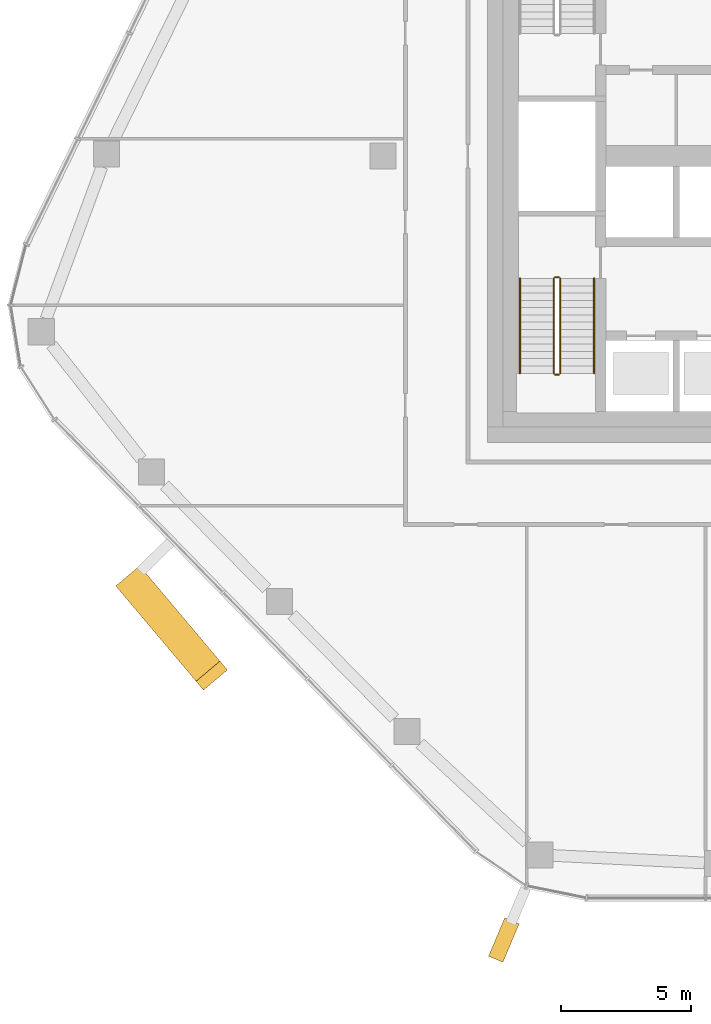
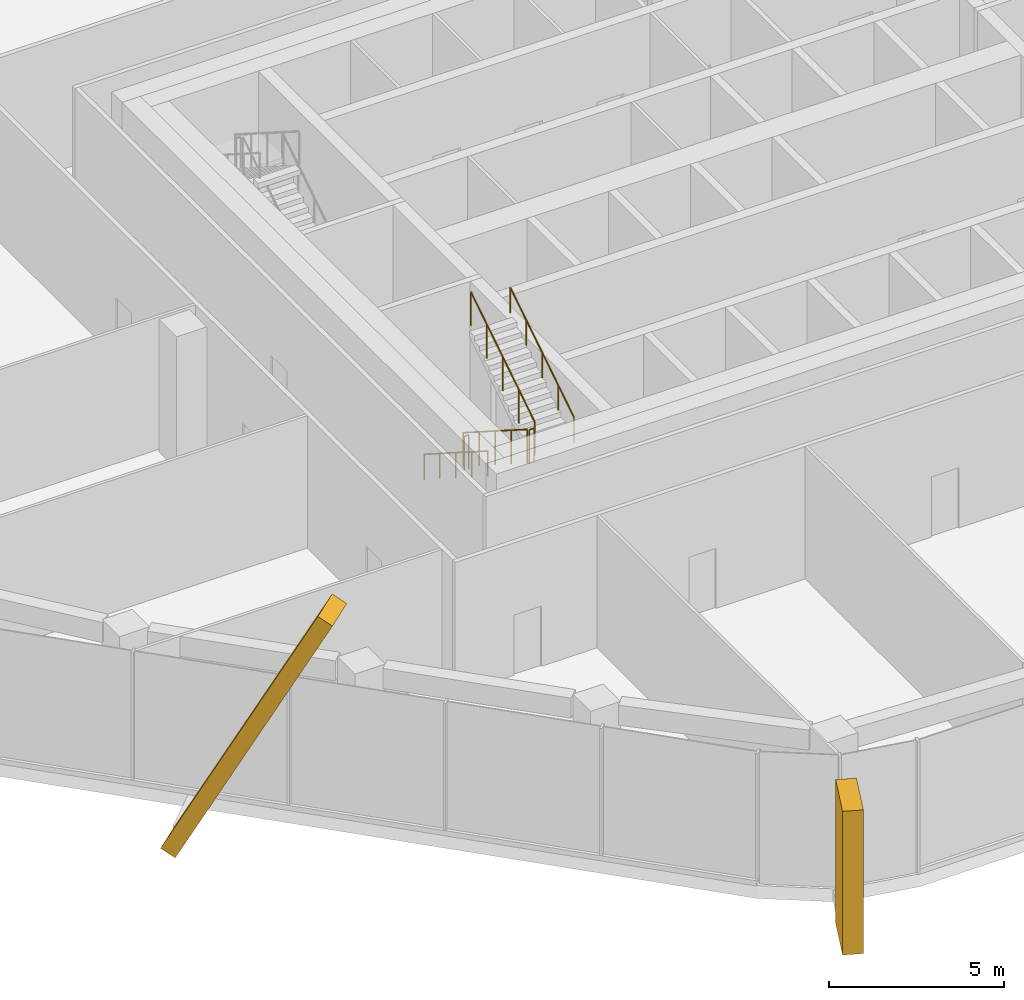
# One storey, part 14 of 20: 6 railings, 2 coverings, 2 elements without a shape of their own.
"""IFC4 building model written with IfcOpenShell, lengths in metres."""

from ifc_helpers import new_model, si_unit, direction, frame, origin, origin_2d, place, context, subcontext, project, spatial, rectangle, circle, extrude, material, layer, layer_set, material_profile, profile_set, type_object, element, aggregate, save


model = new_model("IFC4")

# Units and contexts
model_context = context("Model", 3, precision=1e-05, world=origin(), true_north=direction((0.0, 1.0)))
body_context = subcontext(model_context, "Body", "Model", "MODEL_VIEW")
ifc_project = project(units=[si_unit("LENGTHUNIT", "METRE"), si_unit("AREAUNIT", "SQUARE_METRE"), si_unit("VOLUMEUNIT", "CUBIC_METRE"), si_unit("PLANEANGLEUNIT", "RADIAN"), si_unit("MASSUNIT", "GRAM", prefix="KILO")], contexts=[model_context])

# Site, building, storey
site_placement = place(None, origin())
site = spatial("IfcSite", under=ifc_project, at=site_placement, CompositionType="ELEMENT")
building_placement = place(site_placement, origin())
building = spatial("IfcBuilding", under=site, at=building_placement, Name="Dongbaek Canopy Tower", CompositionType="ELEMENT")
storey_placement = place(building_placement, frame((0.0, 0.0, 289.199951171875)))
storey = spatial("IfcBuildingStorey", under=building, at=storey_placement, Name="L61", CompositionType="ELEMENT", Elevation=289.199951171875)

# Curtain wall, covering
ifc_material_1 = material(Name="Aluminium 6063-T6 pale anodised", Category="aluminium")
ifc_layer = layer(ifc_material_1, 0.25)
ifc_layer_set = layer_set([ifc_layer], Name="CW-4 sky-lobby curtain wall")
curtain_wall_type = type_object("IfcCurtainWallType", Name="CW-4 sky-lobby curtain wall", PredefinedType="NOTDEFINED", material=ifc_layer_set)
curtain_wall_1_placement = place(storey_placement, origin())
curtain_wall_1 = element("IfcCurtainWall", 1, at=curtain_wall_1_placement, inside=storey, type_object=curtain_wall_type, Name="CW-4 curtain wall K4.1", PredefinedType="NOTDEFINED")
ifc_material_2 = material(Name="Aluminium 6063-T6 pale metal fin", Category="aluminium")
ifc_material_profile_1 = material_profile(ifc_material_2, rectangle(XDim=1.60009765625, YDim=0.60009765625, at=origin_2d()), Name="Corner fin CN1 600 x 1600 pale metal")
ifc_profile_set_1 = profile_set([ifc_material_profile_1], Name="Aluminium 6063-T6 pale metal fin")
covering_type_1 = type_object("IfcCoveringType", Name="Corner fin CN1 600 x 1600 pale metal", PredefinedType="CLADDING", material=ifc_profile_set_1)
covering_1_placement = place(storey_placement, frame((-13.36669921875, -30.103271484375, -0.224853515625), z_axis=(0.0, 0.0, 1.0), x_axis=(-0.388231454354, -0.921561901258, 0.0)))
covering_1 = element("IfcCovering", 2, at=covering_1_placement, type_object=covering_type_1, Name="Corner fin L61 L61 K4", PredefinedType="CLADDING", context=body_context, shape_type="SweptSolid", body=[
    extrude(rectangle(XDim=1.60009765625, YDim=0.60009765625, at=origin_2d()), origin(), (0.0, 0.0, 1.0), 5.014892578125),
])
aggregate(curtain_wall_1, [covering_1])

curtain_wall_2_placement = place(storey_placement, origin())
curtain_wall_2 = element("IfcCurtainWall", 3, at=curtain_wall_2_placement, inside=storey, type_object=curtain_wall_type, Name="CW-4 curtain wall F3.1", PredefinedType="NOTDEFINED")
ifc_material_3 = material(Name="Aluminium 6063-T6 pale metal fin", Category="aluminium")
ifc_material_profile_2 = material_profile(ifc_material_3, rectangle(XDim=1.199951171875, YDim=0.5, at=origin_2d()), Name="Crease fin CF1 500 x 1200 pale metal")
ifc_profile_set_2 = profile_set([ifc_material_profile_2], Name="Aluminium 6063-T6 pale metal fin")
covering_type_2 = type_object("IfcCoveringType", Name="Crease fin CF1 500 x 1200 pale metal", PredefinedType="CLADDING", material=ifc_profile_set_2)
covering_2_placement = place(storey_placement, frame((-27.665283203125, -16.291015625, -0.224853515625), z_axis=(0.296424341393, -0.35177503802, 0.887911556663), x_axis=(0.764704731379, 0.644380845313, 0.0)))
covering_2 = element("IfcCovering", 4, at=covering_2_placement, type_object=covering_type_2, Name="Crease fin L61 L63 F3", PredefinedType="CLADDING", context=body_context, shape_type="SweptSolid", body=[
    extrude(rectangle(XDim=1.199951171875, YDim=0.5, at=origin_2d()), origin(), (0.0, 0.0, 1.0), 10.400634765625),
])
aggregate(curtain_wall_2, [covering_2])

# Railings
ifc_material_4 = material(Name="Stainless steel tube and balusters", Category="steel")
railing_type_1 = type_object("IfcRailingType", Name="Stair guard 1200", PredefinedType="GUARDRAIL", material=ifc_material_4)
railing_1_placement = place(storey_placement, frame((-11.449951171875, -4.699951171875, 0.1787109375)))
element("IfcRailing", 5, at=railing_1_placement, inside=storey, type_object=railing_type_1, Name="L61 ST-D stair guard 1", PredefinedType="GUARDRAIL", context=body_context, shape_type="SweptSolid", body=[
    extrude(circle(Radius=0.02392578125, at=origin_2d()), frame((0.0, 0.0, 1.17578125), z_axis=(0.0, -0.843153495434, 0.537672933239), x_axis=(1.0, 0.0, 0.0)), (0.0, 0.0, 1.0), 4.3173828125),
    extrude(circle(Radius=0.02099609375, at=origin_2d()), origin(), (0.0, 0.0, 1.0), 1.15185546875),
    extrude(circle(Radius=0.02099609375, at=origin_2d()), frame((0.0, -0.91015625, 0.580322265625)), (0.0, 0.0, 1.0), 1.15185546875),
    extrude(circle(Radius=0.02099609375, at=origin_2d()), frame((0.0, -1.820068359375, 1.16064453125)), (0.0, 0.0, 1.0), 1.15185546875),
    extrude(circle(Radius=0.02099609375, at=origin_2d()), frame((0.0, -2.72998046875, 1.740966796875)), (0.0, 0.0, 1.0), 1.15185546875),
    extrude(circle(Radius=0.02099609375, at=origin_2d()), frame((0.0, -3.64013671875, 2.3212890625)), (0.0, 0.0, 1.0), 1.15185546875),
])
railing_2_placement = place(storey_placement, frame((-11.39990234375, -8.389892578125, 2.5)))
element("IfcRailing", 6, at=railing_2_placement, inside=storey, type_object=railing_type_1, Name="L61 ST-D stair guard 2", PredefinedType="GUARDRAIL", context=body_context, shape_type="SweptSolid", body=[
    extrude(circle(Radius=0.02392578125, at=origin_2d()), frame((0.0, 0.0, 1.17578125), z_axis=(1.0, 0.0, 0.0), x_axis=(0.0, 1.0, 0.0)), (0.0, 0.0, 1.0), 0.14990234375),
    extrude(circle(Radius=0.02099609375, at=origin_2d()), origin(), (0.0, 0.0, 1.0), 1.15185546875),
    extrude(circle(Radius=0.02099609375, at=origin_2d()), frame((0.14990234375, 0.0, 0.0)), (0.0, 0.0, 1.0), 1.15185546875),
])
railing_3_placement = place(storey_placement, frame((-11.199951171875, -8.340087890625, 2.6787109375)))
element("IfcRailing", 7, at=railing_3_placement, inside=storey, type_object=railing_type_1, Name="L61 ST-D stair guard 3", PredefinedType="GUARDRAIL", context=body_context, shape_type="SweptSolid", body=[
    extrude(circle(Radius=0.02392578125, at=origin_2d()), frame((0.0, 0.0, 1.17578125), z_axis=(0.0, 0.843153495434, 0.537672933239), x_axis=(-1.0, 0.0, 0.0)), (0.0, 0.0, 1.0), 4.3173828125),
    extrude(circle(Radius=0.02099609375, at=origin_2d()), origin(), (0.0, 0.0, 1.0), 1.15185546875),
    extrude(circle(Radius=0.02099609375, at=origin_2d()), frame((0.0, 0.91015625, 0.580322265625)), (0.0, 0.0, 1.0), 1.15185546875),
    extrude(circle(Radius=0.02099609375, at=origin_2d()), frame((0.0, 1.820068359375, 1.16064453125)), (0.0, 0.0, 1.0), 1.15185546875),
    extrude(circle(Radius=0.02099609375, at=origin_2d()), frame((0.0, 2.72998046875, 1.740966796875)), (0.0, 0.0, 1.0), 1.15185546875),
    extrude(circle(Radius=0.02099609375, at=origin_2d()), frame((0.0, 3.64013671875, 2.3212890625)), (0.0, 0.0, 1.0), 1.15185546875),
])
railing_4_placement = place(storey_placement, frame((-11.39990234375, -4.64990234375, 0.0)))
element("IfcRailing", 8, at=railing_4_placement, inside=storey, type_object=railing_type_1, Name="L61 ST-D stair guard 4", PredefinedType="GUARDRAIL", context=body_context, shape_type="SweptSolid", body=[
    extrude(circle(Radius=0.02392578125, at=origin_2d()), frame((0.0, 0.0, 1.17578125), z_axis=(1.0, 0.0, 0.0), x_axis=(0.0, 1.0, 0.0)), (0.0, 0.0, 1.0), 0.14990234375),
    extrude(circle(Radius=0.02099609375, at=origin_2d()), origin(), (0.0, 0.0, 1.0), 1.15185546875),
    extrude(circle(Radius=0.02099609375, at=origin_2d()), frame((0.14990234375, 0.0, 0.0)), (0.0, 0.0, 1.0), 1.15185546875),
])
ifc_material_5 = material(Name="Stainless steel tube", Category="steel")
railing_type_2 = type_object("IfcRailingType", Name="Stair handrail 900", PredefinedType="HANDRAIL", material=ifc_material_5)
railing_5_placement = place(storey_placement, frame((-12.75, -4.699951171875, 0.1787109375)))
element("IfcRailing", 9, at=railing_5_placement, inside=storey, type_object=railing_type_2, Name="L61 ST-D stair handrail 1", PredefinedType="HANDRAIL", context=body_context, shape_type="SweptSolid", body=[
    extrude(circle(Radius=0.02392578125, at=origin_2d()), frame((0.0, 0.0, 0.8759765625), z_axis=(0.0, -0.843153495434, 0.537672933239), x_axis=(1.0, 0.0, 0.0)), (0.0, 0.0, 1.0), 4.3173828125),
    extrude(circle(Radius=0.02099609375, at=origin_2d()), origin(), (0.0, 0.0, 1.0), 0.851806640625),
    extrude(circle(Radius=0.02099609375, at=origin_2d()), frame((0.0, -0.91015625, 0.580322265625)), (0.0, 0.0, 1.0), 0.851806640625),
    extrude(circle(Radius=0.02099609375, at=origin_2d()), frame((0.0, -1.820068359375, 1.16064453125)), (0.0, 0.0, 1.0), 0.851806640625),
    extrude(circle(Radius=0.02099609375, at=origin_2d()), frame((0.0, -2.72998046875, 1.740966796875)), (0.0, 0.0, 1.0), 0.851806640625),
    extrude(circle(Radius=0.02099609375, at=origin_2d()), frame((0.0, -3.64013671875, 2.3212890625)), (0.0, 0.0, 1.0), 0.851806640625),
])
railing_6_placement = place(storey_placement, frame((-9.89990234375, -8.340087890625, 2.6787109375)))
element("IfcRailing", 10, at=railing_6_placement, inside=storey, type_object=railing_type_2, Name="L61 ST-D stair handrail 2", PredefinedType="HANDRAIL", context=body_context, shape_type="SweptSolid", body=[
    extrude(circle(Radius=0.02392578125, at=origin_2d()), frame((0.0, 0.0, 0.8759765625), z_axis=(0.0, 0.843153495434, 0.537672933239), x_axis=(-1.0, 0.0, 0.0)), (0.0, 0.0, 1.0), 4.3173828125),
    extrude(circle(Radius=0.02099609375, at=origin_2d()), origin(), (0.0, 0.0, 1.0), 0.851806640625),
    extrude(circle(Radius=0.02099609375, at=origin_2d()), frame((0.0, 0.91015625, 0.580322265625)), (0.0, 0.0, 1.0), 0.851806640625),
    extrude(circle(Radius=0.02099609375, at=origin_2d()), frame((0.0, 1.820068359375, 1.16064453125)), (0.0, 0.0, 1.0), 0.851806640625),
    extrude(circle(Radius=0.02099609375, at=origin_2d()), frame((0.0, 2.72998046875, 1.740966796875)), (0.0, 0.0, 1.0), 0.851806640625),
    extrude(circle(Radius=0.02099609375, at=origin_2d()), frame((0.0, 3.64013671875, 2.3212890625)), (0.0, 0.0, 1.0), 0.851806640625),
])

save(model, "model.ifc")
